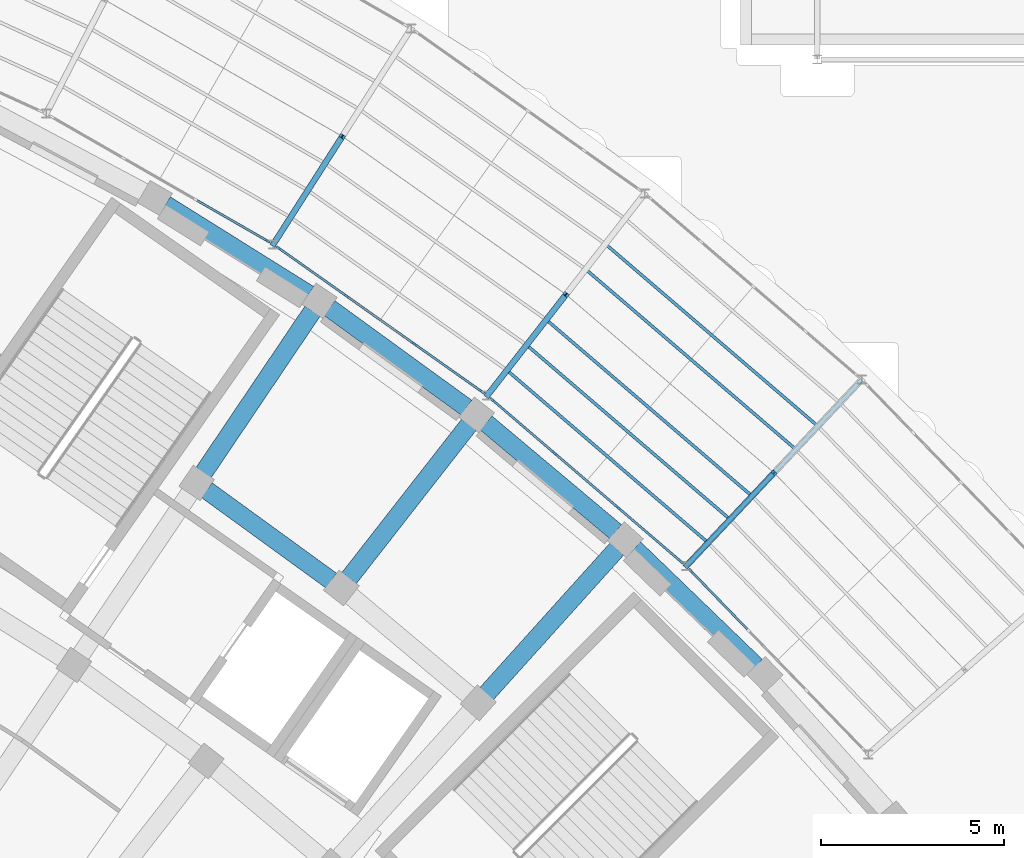
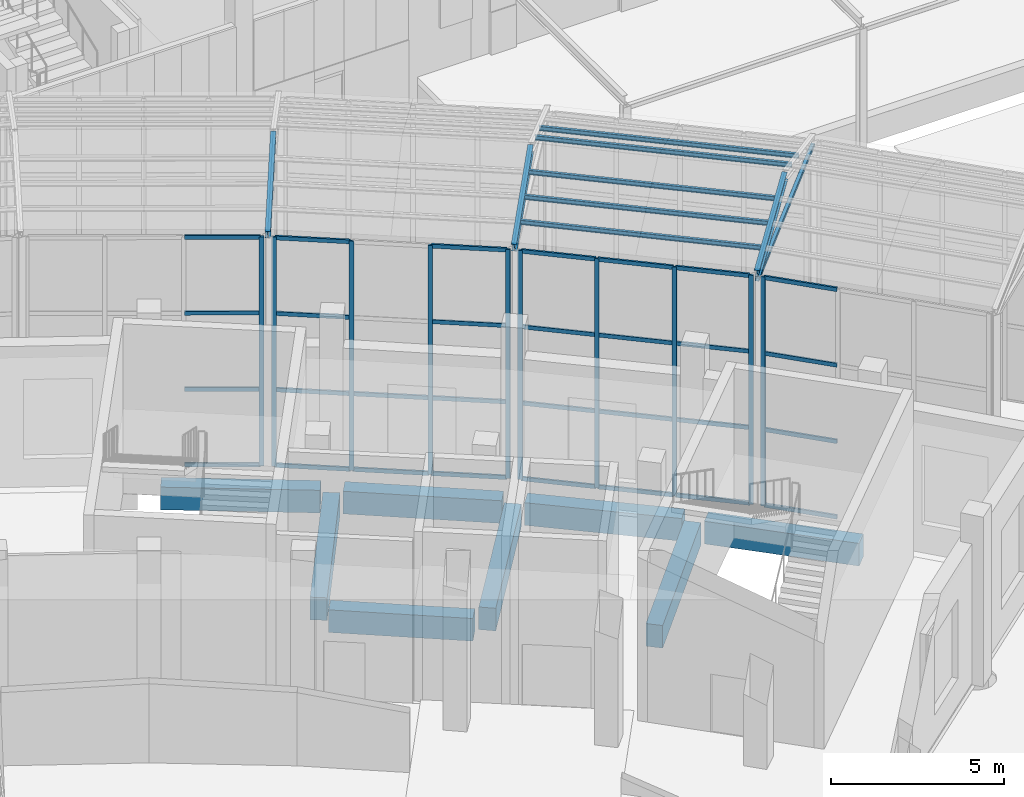
# One storey, part 55 of 155: 45 members, 12 beams, 4 elements without a shape of their own.
"""IFC4 building model written with IfcOpenShell, lengths in metres."""

from ifc_helpers import new_model, si_unit, direction, frame, origin, origin_2d, place, context, subcontext, project, spatial, rectangle, hollow_rectangle, i_section, extrude, material, layer, layer_set, material_profile, profile_set, type_object, element, aggregate, save


model = new_model("IFC4")

# Units and contexts
model_context = context("Model", 3, precision=1e-05, world=origin(), true_north=direction((0.0, 1.0)))
body_context = subcontext(model_context, "Body", "Model", "MODEL_VIEW")
ifc_project = project(units=[si_unit("LENGTHUNIT", "METRE"), si_unit("AREAUNIT", "SQUARE_METRE"), si_unit("VOLUMEUNIT", "CUBIC_METRE"), si_unit("PLANEANGLEUNIT", "RADIAN"), si_unit("MASSUNIT", "GRAM", prefix="KILO")], contexts=[model_context])

# Site, building, storey
site_placement = place(None, origin())
site = spatial("IfcSite", under=ifc_project, at=site_placement, CompositionType="ELEMENT")
building_placement = place(site_placement, origin())
building = spatial("IfcBuilding", under=site, at=building_placement, Name="Lunette Opera House", CompositionType="ELEMENT")
storey_placement = place(building_placement, origin())
storey = spatial("IfcBuildingStorey", under=building, at=storey_placement, Name="L00", CompositionType="ELEMENT", Elevation=0.0)

# Curtain wall, member
ifc_material_1 = material(Name="Aluminium", Category="aluminium")
ifc_layer = layer(ifc_material_1, 0.139892578125)
ifc_layer_set = layer_set([ifc_layer], Name="Aluminium")
curtain_wall_type = type_object("IfcCurtainWallType", Name="PASSAGE CURTAIN WALL", PredefinedType="NOTDEFINED", material=ifc_layer_set)
curtain_wall_1_placement = place(storey_placement, origin())
curtain_wall_1 = element("IfcCurtainWall", 1, at=curtain_wall_1_placement, inside=storey, type_object=curtain_wall_type, Name="Passage Curtain Wall EI3 L00", PredefinedType="NOTDEFINED")
ifc_material_2 = material(Name="Aluminium", Category="aluminium")
ifc_material_profile_1 = material_profile(ifc_material_2, rectangle(XDim=0.06005859375, YDim=0.139892578125, at=origin_2d()), Name="MULLION 60 X 140")
ifc_profile_set_1 = profile_set([ifc_material_profile_1], Name="Aluminium")
member_type_1 = type_object("IfcMemberType", Name="MULLION 60 X 140", PredefinedType="MULLION", material=ifc_profile_set_1)
member_1_placement = place(storey_placement, frame((137.08203125, 64.641845703125, 0.0), z_axis=(0.0, 0.0, 1.0), x_axis=(0.498413606399, 0.866939373287, 0.0)))
member_1 = element("IfcMember", 2, at=member_1_placement, type_object=member_type_1, Name="PP-X2003 mullion 4", PredefinedType="MULLION", context=body_context, shape_type="SweptSolid", body=[
    extrude(rectangle(XDim=0.06005859375, YDim=0.139892578125, at=origin_2d()), origin(), (0.0, 0.0, 1.0), 8.10009765625),
])

# Curtain wall, members
curtain_wall_2_placement = place(storey_placement, origin())
curtain_wall_2 = element("IfcCurtainWall", 3, at=curtain_wall_2_placement, inside=storey, type_object=curtain_wall_type, Name="Passage Curtain Wall EI4 L00", PredefinedType="NOTDEFINED")
member_2_placement = place(storey_placement, frame((137.384521484375, 64.44775390625, 0.0), z_axis=(0.0, 0.0, 1.0), x_axis=(0.577038023057, 0.816717282752, 0.0)))
member_2 = element("IfcMember", 4, at=member_2_placement, type_object=member_type_1, Name="PP-X2004 mullion 1", PredefinedType="MULLION", context=body_context, shape_type="SweptSolid", body=[
    extrude(rectangle(XDim=0.06005859375, YDim=0.139892578125, at=origin_2d()), origin(), (0.0, 0.0, 1.0), 8.10009765625),
])
member_3_placement = place(storey_placement, frame((139.227294921875, 63.145751953125, 0.0), z_axis=(0.0, 0.0, 1.0), x_axis=(0.577038023057, 0.816717282752, 0.0)))
member_3 = element("IfcMember", 5, at=member_3_placement, type_object=member_type_1, Name="PP-X2004 mullion 2", PredefinedType="MULLION", context=body_context, shape_type="SweptSolid", body=[
    extrude(rectangle(XDim=0.06005859375, YDim=0.139892578125, at=origin_2d()), origin(), (0.0, 0.0, 1.0), 8.10009765625),
])
member_4_placement = place(storey_placement, frame((141.0947265625, 61.826416015625, 0.0), z_axis=(0.0, 0.0, 1.0), x_axis=(0.577038023057, 0.816717282752, 0.0)))
member_4 = element("IfcMember", 6, at=member_4_placement, type_object=member_type_1, Name="PP-X2004 mullion 3", PredefinedType="MULLION", context=body_context, shape_type="SweptSolid", body=[
    extrude(rectangle(XDim=0.06005859375, YDim=0.139892578125, at=origin_2d()), origin(), (0.0, 0.0, 1.0), 8.10009765625),
])
member_5_placement = place(storey_placement, frame((142.9375, 60.5244140625, 0.0), z_axis=(0.0, 0.0, 1.0), x_axis=(0.577038023057, 0.816717282752, 0.0)))
member_5 = element("IfcMember", 7, at=member_5_placement, type_object=member_type_1, Name="PP-X2004 mullion 4", PredefinedType="MULLION", context=body_context, shape_type="SweptSolid", body=[
    extrude(rectangle(XDim=0.06005859375, YDim=0.139892578125, at=origin_2d()), origin(), (0.0, 0.0, 1.0), 8.10009765625),
])

curtain_wall_3_placement = place(storey_placement, origin())
curtain_wall_3 = element("IfcCurtainWall", 8, at=curtain_wall_3_placement, inside=storey, type_object=curtain_wall_type, Name="Passage Curtain Wall EI5 L00", PredefinedType="NOTDEFINED")
member_6_placement = place(storey_placement, frame((143.220703125, 60.302490234375, 0.0), z_axis=(0.0, 0.0, 1.0), x_axis=(0.650791373456, 0.759256602365, 0.0)))
member_6 = element("IfcMember", 9, at=member_6_placement, type_object=member_type_1, Name="PP-X2005 mullion 1", PredefinedType="MULLION", context=body_context, shape_type="SweptSolid", body=[
    extrude(rectangle(XDim=0.06005859375, YDim=0.139892578125, at=origin_2d()), origin(), (0.0, 0.0, 1.0), 8.10009765625),
])
member_7_placement = place(storey_placement, frame((144.93408203125, 58.833984375, 0.0), z_axis=(0.0, 0.0, 1.0), x_axis=(0.650791373456, 0.759256602365, 0.0)))
member_7 = element("IfcMember", 10, at=member_7_placement, type_object=member_type_1, Name="PP-X2005 mullion 2", PredefinedType="MULLION", context=body_context, shape_type="SweptSolid", body=[
    extrude(rectangle(XDim=0.06005859375, YDim=0.139892578125, at=origin_2d()), origin(), (0.0, 0.0, 1.0), 8.10009765625),
])
member_8_placement = place(storey_placement, frame((146.669921875, 57.345947265625, 0.0), z_axis=(0.0, 0.0, 1.0), x_axis=(0.650791373456, 0.759256602365, 0.0)))
member_8 = element("IfcMember", 11, at=member_8_placement, type_object=member_type_1, Name="PP-X2005 mullion 3", PredefinedType="MULLION", context=body_context, shape_type="SweptSolid", body=[
    extrude(rectangle(XDim=0.06005859375, YDim=0.139892578125, at=origin_2d()), origin(), (0.0, 0.0, 1.0), 8.10009765625),
])
member_9_placement = place(storey_placement, frame((148.38330078125, 55.87744140625, 0.0), z_axis=(0.0, 0.0, 1.0), x_axis=(0.650791373456, 0.759256602365, 0.0)))
member_9 = element("IfcMember", 12, at=member_9_placement, type_object=member_type_1, Name="PP-X2005 mullion 4", PredefinedType="MULLION", context=body_context, shape_type="SweptSolid", body=[
    extrude(rectangle(XDim=0.06005859375, YDim=0.139892578125, at=origin_2d()), origin(), (0.0, 0.0, 1.0), 8.10009765625),
])

# Curtain wall, member
curtain_wall_4_placement = place(storey_placement, origin())
curtain_wall_4 = element("IfcCurtainWall", 13, at=curtain_wall_4_placement, inside=storey, type_object=curtain_wall_type, Name="Passage Curtain Wall EI6 L00", PredefinedType="NOTDEFINED")
member_10_placement = place(storey_placement, frame((148.644775390625, 55.63037109375, 0.0), z_axis=(0.0, 0.0, 1.0), x_axis=(0.718888802964, 0.695125088724, 0.0)))
member_10 = element("IfcMember", 14, at=member_10_placement, type_object=member_type_1, Name="PP-X2006 mullion 1", PredefinedType="MULLION", context=body_context, shape_type="SweptSolid", body=[
    extrude(rectangle(XDim=0.06005859375, YDim=0.139892578125, at=origin_2d()), origin(), (0.0, 0.0, 1.0), 8.10009765625),
])

# Members
ifc_material_3 = material(Name="Steel S355", Category="steel")
ifc_material_profile_2 = material_profile(ifc_material_3, i_section(OverallWidth=0.08203125, OverallDepth=0.159912109375, WebThickness=0.0048828125, FlangeThickness=0.00732421875, FilletRadius=0.009033203125, at=origin_2d()), Name="IPE 160")
ifc_profile_set_2 = profile_set([ifc_material_profile_2], Name="Steel S355")
member_type_2 = type_object("IfcMemberType", Name="PURLIN IPE 160", PredefinedType="PURLIN", material=ifc_profile_set_2)
member_11_placement = place(storey_placement, frame((143.6220703125, 61.110107421875, 8.47509765625), z_axis=(0.759220904911, -0.650833018175, 0.0), x_axis=(0.650833018175, 0.759220904911, 0.0)))
element("IfcMember", 15, at=member_11_placement, inside=storey, type_object=member_type_2, Name="mem-PP-L00-PU9A1", PredefinedType="PURLIN", context=body_context, shape_type="SweptSolid", body=[
    extrude(i_section(OverallWidth=0.08203125, OverallDepth=0.159912109375, WebThickness=0.0048828125, FlangeThickness=0.00732421875, FilletRadius=0.009033203125, at=origin_2d()), origin(), (0.0, 0.0, 1.0), 7.24169921875),
])
member_12_placement = place(storey_placement, frame((144.159912109375, 61.800048828125, 8.75), z_axis=(0.759233069366, -0.650818827617, 0.0), x_axis=(0.650818827617, 0.759233069366, 0.0)))
element("IfcMember", 16, at=member_12_placement, inside=storey, type_object=member_type_2, Name="mem-PP-L00-PU9A2", PredefinedType="PURLIN", context=body_context, shape_type="SweptSolid", body=[
    extrude(i_section(OverallWidth=0.08203125, OverallDepth=0.159912109375, WebThickness=0.0048828125, FlangeThickness=0.00732421875, FilletRadius=0.009033203125, at=origin_2d()), origin(), (0.0, 0.0, 1.0), 7.3232421875),
])
member_13_placement = place(storey_placement, frame((146.31103515625, 64.56103515625, 8.75), z_axis=(0.759202533647, -0.650854448325, 0.0), x_axis=(0.650854448325, 0.759202533647, 0.0)))
element("IfcMember", 17, at=member_13_placement, inside=storey, type_object=member_type_2, Name="mem-PP-L00-PU9B2", PredefinedType="PURLIN", context=body_context, shape_type="SweptSolid", body=[
    extrude(i_section(OverallWidth=0.08203125, OverallDepth=0.159912109375, WebThickness=0.0048828125, FlangeThickness=0.00732421875, FilletRadius=0.009033203125, at=origin_2d()), origin(), (0.0, 0.0, 1.0), 7.64990234375),
])
member_14_placement = place(storey_placement, frame((144.697998046875, 62.490966796875, 9.02490234375), z_axis=(0.759179801771, -0.650880963451, 0.0), x_axis=(0.650880963451, 0.759179801771, 0.0)))
element("IfcMember", 18, at=member_14_placement, inside=storey, type_object=member_type_2, Name="mem-PP-L00-PU9A3", PredefinedType="PURLIN", context=body_context, shape_type="SweptSolid", body=[
    extrude(i_section(OverallWidth=0.08203125, OverallDepth=0.159912109375, WebThickness=0.0048828125, FlangeThickness=0.00732421875, FilletRadius=0.009033203125, at=origin_2d()), origin(), (0.0, 0.0, 1.0), 7.405517578125),
])
member_15_placement = place(storey_placement, frame((145.77294921875, 63.87109375, 9.02490234375), z_axis=(0.759204229479, -0.650852470182, 0.0), x_axis=(0.650852470182, 0.759204229479, 0.0)))
element("IfcMember", 19, at=member_15_placement, inside=storey, type_object=member_type_2, Name="mem-PP-L00-PU9B3", PredefinedType="PURLIN", context=body_context, shape_type="SweptSolid", body=[
    extrude(i_section(OverallWidth=0.08203125, OverallDepth=0.159912109375, WebThickness=0.0048828125, FlangeThickness=0.00732421875, FilletRadius=0.009033203125, at=origin_2d()), origin(), (0.0, 0.0, 1.0), 7.568603515625),
])

# Beams
ifc_material_4 = material(Name="Concrete C35/45", Category="concrete")
ifc_material_profile_3 = material_profile(ifc_material_4, rectangle(XDim=0.5, YDim=0.800048828125, at=origin_2d()), Name="RC BEAM 500X800")
ifc_profile_set_3 = profile_set([ifc_material_profile_3], Name="Concrete C35/45")
beam_type_1 = type_object("IfcBeamType", Name="RC BEAM 500X800", PredefinedType="BEAM", material=ifc_profile_set_3)
for number, where, z_axis, x_axis, name in (
    (20, (135.333984375, 58.31494140625, -0.6201171875), (0.559245834689, 0.829001867539, 0.0), (-0.829001867539, 0.559245834689, 0.0), "beam-FC-L00-L00-RB-RL-22-4"),
    (21, (139.305908203125, 55.428955078125, -0.6201171875), (0.615648494847, 0.788020894896, 0.0), (-0.788020894896, 0.615648494847, 0.0), "beam-FC-L00-L00-RB-RL-23-4"),
):
    element("IfcBeam", number, at=place(storey_placement, frame(where, z_axis=z_axis, x_axis=x_axis)), inside=storey, type_object=beam_type_1, Name=name, PredefinedType="BEAM", context=body_context, shape_type="SweptSolid", body=[
        extrude(rectangle(XDim=0.5, YDim=0.800048828125, at=origin_2d()), origin(), (0.0, 0.0, 1.0), 5.31982421875),
    ])
beam_1_placement = place(storey_placement, frame((143.06689453125, 52.27294921875, -0.6201171875), z_axis=(0.669096581874, 0.743175459851, 0.0), x_axis=(-0.743175459851, 0.669096581874, 0.0)))
element("IfcBeam", 22, at=beam_1_placement, inside=storey, type_object=beam_type_1, Name="beam-FC-L00-L00-RB-RL-24-4", PredefinedType="BEAM", context=body_context, shape_type="SweptSolid", body=[
    extrude(rectangle(XDim=0.5, YDim=0.800048828125, at=origin_2d()), origin(), (0.0, 0.0, 1.0), 5.3193359375),
])
beam_2_placement = place(storey_placement, frame((135.4189453125, 57.8330078125, -0.6201171875), z_axis=(0.8089996052, -0.587809185694, 0.0), x_axis=(0.587809185694, 0.8089996052, 0.0)))
element("IfcBeam", 23, at=beam_2_placement, inside=storey, type_object=beam_type_1, Name="beam-FC-L00-L00-RG-AR-M2-RL-22", PredefinedType="BEAM", context=body_context, shape_type="SweptSolid", body=[
    extrude(rectangle(XDim=0.5, YDim=0.800048828125, at=origin_2d()), origin(), (0.0, 0.0, 1.0), 4.205322265625),
])
for number, where, z_axis, x_axis, name in (
    (24, (134.2890625, 65.637939453125, -0.6201171875), (0.847962706809, -0.530055891261, 0.0), (0.530055891261, 0.847962706809, 0.0), "beam-FC-L00-L00-RG-AR-C-RL-21"),
    (25, (138.77392578125, 62.806884765625, -0.6201171875), (0.809037359893, -0.58775722054, 0.0), (0.58775722054, 0.809037359893, 0.0), "beam-FC-L00-L00-RG-AR-C-RL-22"),
):
    element("IfcBeam", number, at=place(storey_placement, frame(where, z_axis=z_axis, x_axis=x_axis)), inside=storey, type_object=beam_type_1, Name=name, PredefinedType="BEAM", context=body_context, shape_type="SweptSolid", body=[
        extrude(rectangle(XDim=0.5, YDim=0.800048828125, at=origin_2d()), origin(), (0.0, 0.0, 1.0), 4.6240234375),
    ])
beam_3_placement = place(storey_placement, frame((143.051025390625, 59.669921875, -0.6201171875), z_axis=(0.766061536692, -0.64276723781, 0.0), x_axis=(0.64276723781, 0.766061536692, 0.0)))
element("IfcBeam", 26, at=beam_3_placement, inside=storey, type_object=beam_type_1, Name="beam-FC-L00-L00-RG-AR-C-RL-23", PredefinedType="BEAM", context=body_context, shape_type="SweptSolid", body=[
    extrude(rectangle(XDim=0.5, YDim=0.800048828125, at=origin_2d()), origin(), (0.0, 0.0, 1.0), 4.62353515625),
])
beam_4_placement = place(storey_placement, frame((147.09912109375, 56.242919921875, -0.6201171875), z_axis=(0.719223136798, -0.694779158794, 0.0), x_axis=(0.694779158794, 0.719223136798, 0.0)))
element("IfcBeam", 27, at=beam_4_placement, inside=storey, type_object=beam_type_1, Name="beam-FC-L00-L00-RG-AR-C-RL-24", PredefinedType="BEAM", context=body_context, shape_type="SweptSolid", body=[
    extrude(rectangle(XDim=0.5, YDim=0.800048828125, at=origin_2d()), origin(), (0.0, 0.0, 1.0), 4.624267578125),
])
ifc_material_5 = material(Name="Steel S355", Category="steel")
ifc_material_profile_4 = material_profile(ifc_material_5, i_section(OverallWidth=0.159912109375, OverallDepth=0.330078125, WebThickness=0.007568359375, FlangeThickness=0.011474609375, FilletRadius=0.01806640625, at=origin_2d()), Name="IPE 330")
ifc_profile_set_4 = profile_set([ifc_material_profile_4], Name="Steel S355")
beam_type_2 = type_object("IfcBeamType", Name="STEEL BEAM IPE 330", PredefinedType="BEAM", material=ifc_profile_set_4)
beam_5_placement = place(storey_placement, frame((137.238037109375, 64.552001953125, 8.14990234375), z_axis=(0.513601843278, 0.803913005695, 0.299895024726), x_axis=(-0.842700655983, 0.538382396077, 0.0)))
element("IfcBeam", 28, at=beam_5_placement, inside=storey, type_object=beam_type_2, Name="beam-PP-L00-RF8A", PredefinedType="BEAM", context=body_context, shape_type="SweptSolid", body=[
    extrude(i_section(OverallWidth=0.159912109375, OverallDepth=0.330078125, WebThickness=0.007568359375, FlangeThickness=0.011474609375, FilletRadius=0.01806640625, at=origin_2d()), origin(), (0.0, 0.0, 1.0), 3.668212890625),
])
beam_6_placement = place(storey_placement, frame((143.083984375, 60.419921875, 8.14990234375), z_axis=(0.586492586293, 0.752427074122, 0.29979984048), x_axis=(-0.788705867557, 0.614770733267, 0.0)))
element("IfcBeam", 29, at=beam_6_placement, inside=storey, type_object=beam_type_2, Name="beam-PP-L00-RF9A", PredefinedType="BEAM", context=body_context, shape_type="SweptSolid", body=[
    extrude(i_section(OverallWidth=0.159912109375, OverallDepth=0.330078125, WebThickness=0.007568359375, FlangeThickness=0.011474609375, FilletRadius=0.01806640625, at=origin_2d()), origin(), (0.0, 0.0, 1.0), 3.66943359375),
])
beam_7_placement = place(storey_placement, frame((148.52001953125, 55.760009765625, 8.14990234375), z_axis=(0.653926513808, 0.694588950195, 0.299877149524), x_axis=(-0.728097582812, 0.685473493217, 0.0)))
element("IfcBeam", 30, at=beam_7_placement, inside=storey, type_object=beam_type_2, Name="beam-PP-L00-RF10A", PredefinedType="BEAM", context=body_context, shape_type="SweptSolid", body=[
    extrude(i_section(OverallWidth=0.159912109375, OverallDepth=0.330078125, WebThickness=0.007568359375, FlangeThickness=0.011474609375, FilletRadius=0.01806640625, at=origin_2d()), origin(), (0.0, 0.0, 1.0), 3.66845703125),
])
ifc_material_6 = material(Name="Steel S355", Category="steel")
ifc_material_profile_5 = material_profile(ifc_material_6, hollow_rectangle(XDim=0.1201171875, YDim=0.1201171875, WallThickness=0.006103515625, InnerFilletRadius=0.006103515625, OuterFilletRadius=0.011962890625, at=origin_2d()), Name="RHS 120X120X6")
ifc_profile_set_5 = profile_set([ifc_material_profile_5], Name="Steel S355")
beam_type_3 = type_object("IfcBeamType", Name="STEEL BEAM RHS 120X120X6", PredefinedType="BEAM", material=ifc_profile_set_5)
beam_8_placement = place(storey_placement, frame((148.52001953125, 55.760009765625, 7.949951171875), z_axis=(0.685583339256, 0.727994151717, 0.0), x_axis=(-0.727994151717, 0.685583339256, 0.0)))
element("IfcBeam", 31, at=beam_8_placement, inside=storey, type_object=beam_type_3, Name="beam-PP-L00-TI10", PredefinedType="BEAM", context=body_context, shape_type="SweptSolid", body=[
    extrude(hollow_rectangle(XDim=0.1201171875, YDim=0.1201171875, WallThickness=0.006103515625, InnerFilletRadius=0.006103515625, OuterFilletRadius=0.011962890625, at=origin_2d()), origin(), (0.0, 0.0, 1.0), 7.0),
])

# Member
ifc_material_7 = material(Name="Aluminium", Category="aluminium")
ifc_material_profile_6 = material_profile(ifc_material_7, rectangle(XDim=0.06005859375, YDim=0.139892578125, at=origin_2d()), Name="TRANSOM 60 X 140")
ifc_profile_set_6 = profile_set([ifc_material_profile_6], Name="Aluminium")
member_type_3 = type_object("IfcMemberType", Name="TRANSOM 60 X 140", PredefinedType="USERDEFINED", material=ifc_profile_set_6)
member_16_placement = place(storey_placement, frame((135.151611328125, 65.751708984375, 0.030029296875), z_axis=(0.866954329166, -0.498387591279, 0.0), x_axis=(0.498387591279, 0.866954329166, 0.0)))
member_16 = element("IfcMember", 32, at=member_16_placement, type_object=member_type_3, Name="PP-X2003 transom 3.1", ObjectType="TRANSOM", PredefinedType="USERDEFINED", context=body_context, shape_type="SweptSolid", body=[
    extrude(rectangle(XDim=0.06005859375, YDim=0.139892578125, at=origin_2d()), origin(), (0.0, 0.0, 1.0), 2.196533203125),
])

member_17_placement = place(storey_placement, frame((135.151611328125, 65.751708984375, 2.699951171875), z_axis=(0.866954329166, -0.498387591279, 0.0), x_axis=(0.498387591279, 0.866954329166, 0.0)))
member_17 = element("IfcMember", 33, at=member_17_placement, type_object=member_type_3, Name="PP-X2003 transom 3.2", ObjectType="TRANSOM", PredefinedType="USERDEFINED", context=body_context, shape_type="SweptSolid", body=[
    extrude(rectangle(XDim=0.06005859375, YDim=0.139892578125, at=origin_2d()), origin(), (0.0, 0.0, 1.0), 2.196533203125),
])

member_18_placement = place(storey_placement, frame((135.151611328125, 65.751708984375, 5.39990234375), z_axis=(0.866954329166, -0.498387591279, 0.0), x_axis=(0.498387591279, 0.866954329166, 0.0)))
member_18 = element("IfcMember", 34, at=member_18_placement, type_object=member_type_3, Name="PP-X2003 transom 3.3", ObjectType="TRANSOM", PredefinedType="USERDEFINED", context=body_context, shape_type="SweptSolid", body=[
    extrude(rectangle(XDim=0.06005859375, YDim=0.139892578125, at=origin_2d()), origin(), (0.0, 0.0, 1.0), 2.196533203125),
])

member_19_placement = place(storey_placement, frame((135.151611328125, 65.751708984375, 8.070068359375), z_axis=(0.866954329166, -0.498387591279, 0.0), x_axis=(0.498387591279, 0.866954329166, 0.0)))
member_19 = element("IfcMember", 35, at=member_19_placement, type_object=member_type_3, Name="PP-X2003 transom 3.4", ObjectType="TRANSOM", PredefinedType="USERDEFINED", context=body_context, shape_type="SweptSolid", body=[
    extrude(rectangle(XDim=0.06005859375, YDim=0.139892578125, at=origin_2d()), origin(), (0.0, 0.0, 1.0), 2.196533203125),
])

aggregate(curtain_wall_1, [member_1, member_16, member_17, member_18, member_19])

member_20_placement = place(storey_placement, frame((137.408935546875, 64.430419921875, 0.030029296875), z_axis=(0.816749093215, -0.576992997126, 0.0), x_axis=(0.576992997126, 0.816749093215, 0.0)))
member_20 = element("IfcMember", 36, at=member_20_placement, type_object=member_type_3, Name="PP-X2004 transom 1.1", ObjectType="TRANSOM", PredefinedType="USERDEFINED", context=body_context, shape_type="SweptSolid", body=[
    extrude(rectangle(XDim=0.06005859375, YDim=0.139892578125, at=origin_2d()), origin(), (0.0, 0.0, 1.0), 2.196533203125),
])

member_21_placement = place(storey_placement, frame((137.408935546875, 64.430419921875, 2.699951171875), z_axis=(0.816749093215, -0.576992997126, 0.0), x_axis=(0.576992997126, 0.816749093215, 0.0)))
member_21 = element("IfcMember", 37, at=member_21_placement, type_object=member_type_3, Name="PP-X2004 transom 1.2", ObjectType="TRANSOM", PredefinedType="USERDEFINED", context=body_context, shape_type="SweptSolid", body=[
    extrude(rectangle(XDim=0.06005859375, YDim=0.139892578125, at=origin_2d()), origin(), (0.0, 0.0, 1.0), 2.196533203125),
])

member_22_placement = place(storey_placement, frame((137.408935546875, 64.430419921875, 5.39990234375), z_axis=(0.816749093215, -0.576992997126, 0.0), x_axis=(0.576992997126, 0.816749093215, 0.0)))
member_22 = element("IfcMember", 38, at=member_22_placement, type_object=member_type_3, Name="PP-X2004 transom 1.3", ObjectType="TRANSOM", PredefinedType="USERDEFINED", context=body_context, shape_type="SweptSolid", body=[
    extrude(rectangle(XDim=0.06005859375, YDim=0.139892578125, at=origin_2d()), origin(), (0.0, 0.0, 1.0), 2.196533203125),
])

member_23_placement = place(storey_placement, frame((137.408935546875, 64.430419921875, 8.070068359375), z_axis=(0.816749093215, -0.576992997126, 0.0), x_axis=(0.576992997126, 0.816749093215, 0.0)))
member_23 = element("IfcMember", 39, at=member_23_placement, type_object=member_type_3, Name="PP-X2004 transom 1.4", ObjectType="TRANSOM", PredefinedType="USERDEFINED", context=body_context, shape_type="SweptSolid", body=[
    extrude(rectangle(XDim=0.06005859375, YDim=0.139892578125, at=origin_2d()), origin(), (0.0, 0.0, 1.0), 2.196533203125),
])

member_24_placement = place(storey_placement, frame((139.251953125, 63.12841796875, 0.030029296875), z_axis=(0.816694235675, -0.577070641617, 0.0), x_axis=(0.577070641617, 0.816694235675, 0.0)))
member_24 = element("IfcMember", 40, at=member_24_placement, type_object=member_type_3, Name="PP-X2004 transom 2.1", ObjectType="TRANSOM", PredefinedType="USERDEFINED", context=body_context, shape_type="SweptSolid", body=[
    extrude(rectangle(XDim=0.06005859375, YDim=0.139892578125, at=origin_2d()), origin(), (0.0, 0.0, 1.0), 2.22607421875),
])

member_25_placement = place(storey_placement, frame((139.251953125, 63.12841796875, 2.699951171875), z_axis=(0.816694235675, -0.577070641617, 0.0), x_axis=(0.577070641617, 0.816694235675, 0.0)))
member_25 = element("IfcMember", 41, at=member_25_placement, type_object=member_type_3, Name="PP-X2004 transom 2.2", ObjectType="TRANSOM", PredefinedType="USERDEFINED", context=body_context, shape_type="SweptSolid", body=[
    extrude(rectangle(XDim=0.06005859375, YDim=0.139892578125, at=origin_2d()), origin(), (0.0, 0.0, 1.0), 2.22607421875),
])

member_26_placement = place(storey_placement, frame((141.119140625, 61.80908203125, 0.030029296875), z_axis=(0.816696711615, -0.577067137548, 0.0), x_axis=(0.577067137548, 0.816696711615, 0.0)))
member_26 = element("IfcMember", 42, at=member_26_placement, type_object=member_type_3, Name="PP-X2004 transom 3.1", ObjectType="TRANSOM", PredefinedType="USERDEFINED", context=body_context, shape_type="SweptSolid", body=[
    extrude(rectangle(XDim=0.06005859375, YDim=0.139892578125, at=origin_2d()), origin(), (0.0, 0.0, 1.0), 2.196533203125),
])

member_27_placement = place(storey_placement, frame((141.119140625, 61.80908203125, 2.699951171875), z_axis=(0.816696711615, -0.577067137548, 0.0), x_axis=(0.577067137548, 0.816696711615, 0.0)))
member_27 = element("IfcMember", 43, at=member_27_placement, type_object=member_type_3, Name="PP-X2004 transom 3.2", ObjectType="TRANSOM", PredefinedType="USERDEFINED", context=body_context, shape_type="SweptSolid", body=[
    extrude(rectangle(XDim=0.06005859375, YDim=0.139892578125, at=origin_2d()), origin(), (0.0, 0.0, 1.0), 2.196533203125),
])

member_28_placement = place(storey_placement, frame((141.119140625, 61.80908203125, 5.39990234375), z_axis=(0.816696711615, -0.577067137548, 0.0), x_axis=(0.577067137548, 0.816696711615, 0.0)))
member_28 = element("IfcMember", 44, at=member_28_placement, type_object=member_type_3, Name="PP-X2004 transom 3.3", ObjectType="TRANSOM", PredefinedType="USERDEFINED", context=body_context, shape_type="SweptSolid", body=[
    extrude(rectangle(XDim=0.06005859375, YDim=0.139892578125, at=origin_2d()), origin(), (0.0, 0.0, 1.0), 2.196533203125),
])

member_29_placement = place(storey_placement, frame((141.119140625, 61.80908203125, 8.070068359375), z_axis=(0.816696711615, -0.577067137548, 0.0), x_axis=(0.577067137548, 0.816696711615, 0.0)))
member_29 = element("IfcMember", 45, at=member_29_placement, type_object=member_type_3, Name="PP-X2004 transom 3.4", ObjectType="TRANSOM", PredefinedType="USERDEFINED", context=body_context, shape_type="SweptSolid", body=[
    extrude(rectangle(XDim=0.06005859375, YDim=0.139892578125, at=origin_2d()), origin(), (0.0, 0.0, 1.0), 2.196533203125),
])

aggregate(curtain_wall_2, [member_2, member_3, member_4, member_5, member_20, member_21, member_22, member_23, member_24, member_25, member_26, member_27, member_28, member_29])

member_30_placement = place(storey_placement, frame((143.24365234375, 60.282958984375, 0.030029296875), z_axis=(0.759217368325, -0.650837143711, 0.0), x_axis=(0.650837143711, 0.759217368325, 0.0)))
member_30 = element("IfcMember", 46, at=member_30_placement, type_object=member_type_3, Name="PP-X2005 transom 1.1", ObjectType="TRANSOM", PredefinedType="USERDEFINED", context=body_context, shape_type="SweptSolid", body=[
    extrude(rectangle(XDim=0.06005859375, YDim=0.139892578125, at=origin_2d()), origin(), (0.0, 0.0, 1.0), 2.1962890625),
])

member_31_placement = place(storey_placement, frame((143.24365234375, 60.282958984375, 2.699951171875), z_axis=(0.759217368325, -0.650837143711, 0.0), x_axis=(0.650837143711, 0.759217368325, 0.0)))
member_31 = element("IfcMember", 47, at=member_31_placement, type_object=member_type_3, Name="PP-X2005 transom 1.2", ObjectType="TRANSOM", PredefinedType="USERDEFINED", context=body_context, shape_type="SweptSolid", body=[
    extrude(rectangle(XDim=0.06005859375, YDim=0.139892578125, at=origin_2d()), origin(), (0.0, 0.0, 1.0), 2.1962890625),
])

member_32_placement = place(storey_placement, frame((143.24365234375, 60.282958984375, 5.39990234375), z_axis=(0.759217368325, -0.650837143711, 0.0), x_axis=(0.650837143711, 0.759217368325, 0.0)))
member_32 = element("IfcMember", 48, at=member_32_placement, type_object=member_type_3, Name="PP-X2005 transom 1.3", ObjectType="TRANSOM", PredefinedType="USERDEFINED", context=body_context, shape_type="SweptSolid", body=[
    extrude(rectangle(XDim=0.06005859375, YDim=0.139892578125, at=origin_2d()), origin(), (0.0, 0.0, 1.0), 2.1962890625),
])

member_33_placement = place(storey_placement, frame((143.24365234375, 60.282958984375, 8.070068359375), z_axis=(0.759217368325, -0.650837143711, 0.0), x_axis=(0.650837143711, 0.759217368325, 0.0)))
member_33 = element("IfcMember", 49, at=member_33_placement, type_object=member_type_3, Name="PP-X2005 transom 1.4", ObjectType="TRANSOM", PredefinedType="USERDEFINED", context=body_context, shape_type="SweptSolid", body=[
    extrude(rectangle(XDim=0.06005859375, YDim=0.139892578125, at=origin_2d()), origin(), (0.0, 0.0, 1.0), 2.1962890625),
])

member_34_placement = place(storey_placement, frame((144.956787109375, 58.814453125, 0.030029296875), z_axis=(0.759248861983, -0.650800403794, 0.0), x_axis=(0.650800403794, 0.759248861983, 0.0)))
member_34 = element("IfcMember", 50, at=member_34_placement, type_object=member_type_3, Name="PP-X2005 transom 2.1", ObjectType="TRANSOM", PredefinedType="USERDEFINED", context=body_context, shape_type="SweptSolid", body=[
    extrude(rectangle(XDim=0.06005859375, YDim=0.139892578125, at=origin_2d()), origin(), (0.0, 0.0, 1.0), 2.2265625),
])

member_35_placement = place(storey_placement, frame((144.956787109375, 58.814453125, 2.699951171875), z_axis=(0.759248861983, -0.650800403794, 0.0), x_axis=(0.650800403794, 0.759248861983, 0.0)))
member_35 = element("IfcMember", 51, at=member_35_placement, type_object=member_type_3, Name="PP-X2005 transom 2.2", ObjectType="TRANSOM", PredefinedType="USERDEFINED", context=body_context, shape_type="SweptSolid", body=[
    extrude(rectangle(XDim=0.06005859375, YDim=0.139892578125, at=origin_2d()), origin(), (0.0, 0.0, 1.0), 2.2265625),
])

member_36_placement = place(storey_placement, frame((144.956787109375, 58.814453125, 5.39990234375), z_axis=(0.759248861983, -0.650800403794, 0.0), x_axis=(0.650800403794, 0.759248861983, 0.0)))
member_36 = element("IfcMember", 52, at=member_36_placement, type_object=member_type_3, Name="PP-X2005 transom 2.3", ObjectType="TRANSOM", PredefinedType="USERDEFINED", context=body_context, shape_type="SweptSolid", body=[
    extrude(rectangle(XDim=0.06005859375, YDim=0.139892578125, at=origin_2d()), origin(), (0.0, 0.0, 1.0), 2.2265625),
])

member_37_placement = place(storey_placement, frame((144.956787109375, 58.814453125, 8.070068359375), z_axis=(0.759248861983, -0.650800403794, 0.0), x_axis=(0.650800403794, 0.759248861983, 0.0)))
member_37 = element("IfcMember", 53, at=member_37_placement, type_object=member_type_3, Name="PP-X2005 transom 2.4", ObjectType="TRANSOM", PredefinedType="USERDEFINED", context=body_context, shape_type="SweptSolid", body=[
    extrude(rectangle(XDim=0.06005859375, YDim=0.139892578125, at=origin_2d()), origin(), (0.0, 0.0, 1.0), 2.2265625),
])

member_38_placement = place(storey_placement, frame((146.69287109375, 57.326416015625, 0.030029296875), z_axis=(0.759217368325, -0.650837143711, 0.0), x_axis=(0.650837143711, 0.759217368325, 0.0)))
member_38 = element("IfcMember", 54, at=member_38_placement, type_object=member_type_3, Name="PP-X2005 transom 3.1", ObjectType="TRANSOM", PredefinedType="USERDEFINED", context=body_context, shape_type="SweptSolid", body=[
    extrude(rectangle(XDim=0.06005859375, YDim=0.139892578125, at=origin_2d()), origin(), (0.0, 0.0, 1.0), 2.1962890625),
])

member_39_placement = place(storey_placement, frame((146.69287109375, 57.326416015625, 2.699951171875), z_axis=(0.759217368325, -0.650837143711, 0.0), x_axis=(0.650837143711, 0.759217368325, 0.0)))
member_39 = element("IfcMember", 55, at=member_39_placement, type_object=member_type_3, Name="PP-X2005 transom 3.2", ObjectType="TRANSOM", PredefinedType="USERDEFINED", context=body_context, shape_type="SweptSolid", body=[
    extrude(rectangle(XDim=0.06005859375, YDim=0.139892578125, at=origin_2d()), origin(), (0.0, 0.0, 1.0), 2.1962890625),
])

member_40_placement = place(storey_placement, frame((146.69287109375, 57.326416015625, 5.39990234375), z_axis=(0.759217368325, -0.650837143711, 0.0), x_axis=(0.650837143711, 0.759217368325, 0.0)))
member_40 = element("IfcMember", 56, at=member_40_placement, type_object=member_type_3, Name="PP-X2005 transom 3.3", ObjectType="TRANSOM", PredefinedType="USERDEFINED", context=body_context, shape_type="SweptSolid", body=[
    extrude(rectangle(XDim=0.06005859375, YDim=0.139892578125, at=origin_2d()), origin(), (0.0, 0.0, 1.0), 2.1962890625),
])

member_41_placement = place(storey_placement, frame((146.69287109375, 57.326416015625, 8.070068359375), z_axis=(0.759217368325, -0.650837143711, 0.0), x_axis=(0.650837143711, 0.759217368325, 0.0)))
member_41 = element("IfcMember", 57, at=member_41_placement, type_object=member_type_3, Name="PP-X2005 transom 3.4", ObjectType="TRANSOM", PredefinedType="USERDEFINED", context=body_context, shape_type="SweptSolid", body=[
    extrude(rectangle(XDim=0.06005859375, YDim=0.139892578125, at=origin_2d()), origin(), (0.0, 0.0, 1.0), 2.1962890625),
])

aggregate(curtain_wall_3, [member_6, member_7, member_8, member_9, member_30, member_31, member_32, member_33, member_34, member_35, member_36, member_37, member_38, member_39, member_40, member_41])

member_42_placement = place(storey_placement, frame((148.665771484375, 55.60888671875, 0.030029296875), z_axis=(0.69505657283, -0.718955047667, 0.0), x_axis=(0.718955047667, 0.69505657283, 0.0)))
member_42 = element("IfcMember", 58, at=member_42_placement, type_object=member_type_3, Name="PP-X2006 transom 1.1", ObjectType="TRANSOM", PredefinedType="USERDEFINED", context=body_context, shape_type="SweptSolid", body=[
    extrude(rectangle(XDim=0.06005859375, YDim=0.139892578125, at=origin_2d()), origin(), (0.0, 0.0, 1.0), 2.1962890625),
])

member_43_placement = place(storey_placement, frame((148.665771484375, 55.60888671875, 2.699951171875), z_axis=(0.69505657283, -0.718955047667, 0.0), x_axis=(0.718955047667, 0.69505657283, 0.0)))
member_43 = element("IfcMember", 59, at=member_43_placement, type_object=member_type_3, Name="PP-X2006 transom 1.2", ObjectType="TRANSOM", PredefinedType="USERDEFINED", context=body_context, shape_type="SweptSolid", body=[
    extrude(rectangle(XDim=0.06005859375, YDim=0.139892578125, at=origin_2d()), origin(), (0.0, 0.0, 1.0), 2.1962890625),
])

member_44_placement = place(storey_placement, frame((148.665771484375, 55.60888671875, 5.39990234375), z_axis=(0.69505657283, -0.718955047667, 0.0), x_axis=(0.718955047667, 0.69505657283, 0.0)))
member_44 = element("IfcMember", 60, at=member_44_placement, type_object=member_type_3, Name="PP-X2006 transom 1.3", ObjectType="TRANSOM", PredefinedType="USERDEFINED", context=body_context, shape_type="SweptSolid", body=[
    extrude(rectangle(XDim=0.06005859375, YDim=0.139892578125, at=origin_2d()), origin(), (0.0, 0.0, 1.0), 2.1962890625),
])

member_45_placement = place(storey_placement, frame((148.665771484375, 55.60888671875, 8.070068359375), z_axis=(0.69505657283, -0.718955047667, 0.0), x_axis=(0.718955047667, 0.69505657283, 0.0)))
member_45 = element("IfcMember", 61, at=member_45_placement, type_object=member_type_3, Name="PP-X2006 transom 1.4", ObjectType="TRANSOM", PredefinedType="USERDEFINED", context=body_context, shape_type="SweptSolid", body=[
    extrude(rectangle(XDim=0.06005859375, YDim=0.139892578125, at=origin_2d()), origin(), (0.0, 0.0, 1.0), 2.1962890625),
])

aggregate(curtain_wall_4, [member_10, member_42, member_43, member_44, member_45])

save(model, "model.ifc")
